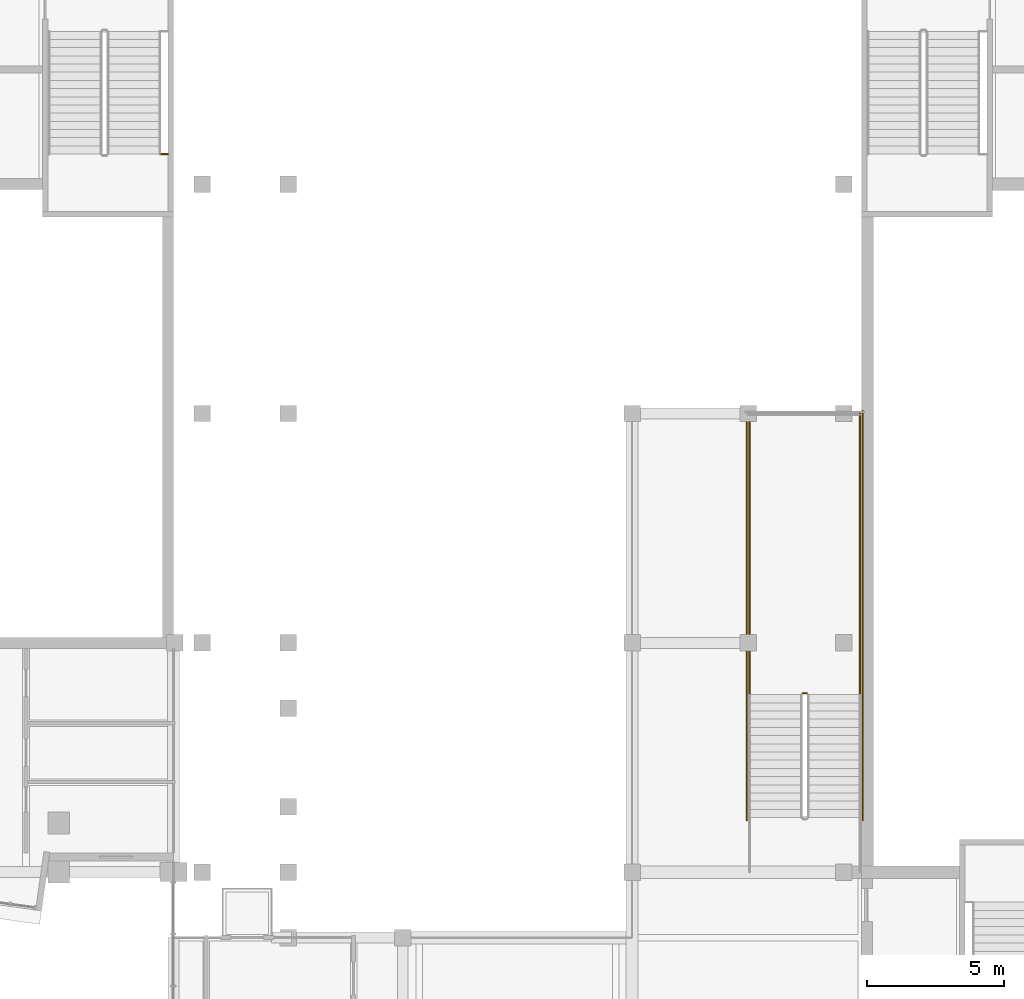
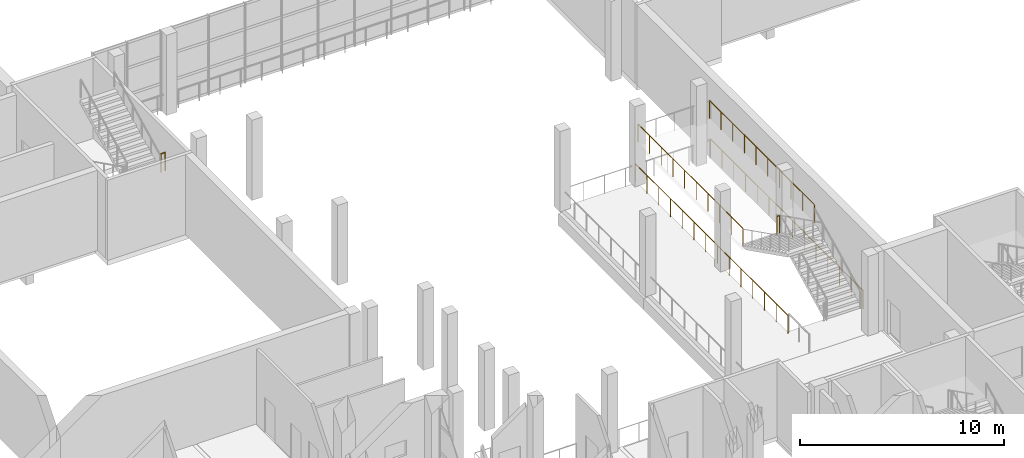
# One storey, part 75 of 91: 6 railings.
"""IFC4 building model written with IfcOpenShell, lengths in metres."""

from ifc_helpers import new_model, si_unit, direction, frame, origin, origin_2d, place, context, subcontext, project, spatial, circle, extrude, material, type_object, element, save


model = new_model("IFC4")

# Units and contexts
model_context = context("Model", 3, precision=1e-05, world=origin(), true_north=direction((0.0, 1.0)))
body_context = subcontext(model_context, "Body", "Model", "MODEL_VIEW")
ifc_project = project(units=[si_unit("LENGTHUNIT", "METRE"), si_unit("AREAUNIT", "SQUARE_METRE"), si_unit("VOLUMEUNIT", "CUBIC_METRE"), si_unit("PLANEANGLEUNIT", "RADIAN"), si_unit("MASSUNIT", "GRAM", prefix="KILO")], contexts=[model_context])

# Site, building, storey
site_placement = place(None, origin())
site = spatial("IfcSite", under=ifc_project, at=site_placement, CompositionType="ELEMENT")
building_placement = place(site_placement, origin())
building = spatial("IfcBuilding", under=site, at=building_placement, Name="Kiln Court Media Centre", CompositionType="ELEMENT")
storey_placement = place(building_placement, frame((0.0, 0.0, 5.39990234375)))
storey = spatial("IfcBuildingStorey", under=building, at=storey_placement, Name="L01", CompositionType="ELEMENT", Elevation=5.39990234375)

# Railings
ifc_material = material(Name="Steel S275", Category="steel")
railing_type = type_object("IfcRailingType", Name="Steel S275 stair guard 1100", PredefinedType="GUARDRAIL", material=ifc_material)
railing_1_placement = place(storey_placement, frame((33.14990234375, 59.89990234375, 2.400146484375)))
element("IfcRailing", 1, at=railing_1_placement, inside=storey, type_object=railing_type, Name="ST-08 landing edge guard", PredefinedType="GUARDRAIL", context=body_context, shape_type="SweptSolid", body=[
    extrude(circle(Radius=0.02392578125, at=origin_2d()), frame((0.0, 0.0, 1.076171875), z_axis=(1.0, 0.0, 0.0), x_axis=(0.0, 1.0, 0.0)), (0.0, 0.0, 1.0), 0.25),
    extrude(circle(Radius=0.02099609375, at=origin_2d()), origin(), (0.0, 0.0, 1.0), 1.052001953125),
    extrude(circle(Radius=0.02099609375, at=origin_2d()), frame((0.25, 0.0, 0.0)), (0.0, 0.0, 1.0), 1.052001953125),
])
railing_2_placement = place(storey_placement, frame((56.800048828125, 40.14990234375, 2.400146484375)))
element("IfcRailing", 2, at=railing_2_placement, inside=storey, type_object=railing_type, Name="ST-F1 stair guard", PredefinedType="GUARDRAIL", context=body_context, shape_type="SweptSolid", body=[
    extrude(circle(Radius=0.02392578125, at=origin_2d()), frame((0.0, 0.0, 1.076171875), z_axis=(-1.0, 0.0, 0.0), x_axis=(0.0, -1.0, 0.0)), (0.0, 0.0, 1.0), 0.150146484375),
    extrude(circle(Radius=0.02099609375, at=origin_2d()), origin(), (0.0, 0.0, 1.0), 1.052001953125),
    extrude(circle(Radius=0.02099609375, at=origin_2d()), frame((-0.150146484375, 0.0, 0.0)), (0.0, 0.0, 1.0), 1.052001953125),
])
for number, where, name in (
    (3, (58.75, 40.10009765625, 2.400146484375), "ST-F1 stair guard"),
    (4, (54.699951171875, 40.10009765625, 2.400146484375), "ST-F1 stair guard"),
):
    element("IfcRailing", number, at=place(storey_placement, frame(where)), inside=storey, type_object=railing_type, Name=name, PredefinedType="GUARDRAIL", context=body_context, shape_type="SweptSolid", body=[
        extrude(circle(Radius=0.02392578125, at=origin_2d()), frame((0.0, 0.0, 1.076171875), z_axis=(0.0, 1.0, 0.0), x_axis=(-1.0, 0.0, 0.0)), (0.0, 0.0, 1.0), 10.2998046875),
        extrude(circle(Radius=0.02099609375, at=origin_2d()), origin(), (0.0, 0.0, 1.0), 1.052001953125),
        extrude(circle(Radius=0.02099609375, at=origin_2d()), frame((0.0, 1.14453125, 0.0)), (0.0, 0.0, 1.0), 1.052001953125),
        extrude(circle(Radius=0.02099609375, at=origin_2d()), frame((0.0, 2.288818359375, 0.0)), (0.0, 0.0, 1.0), 1.052001953125),
        extrude(circle(Radius=0.02099609375, at=origin_2d()), frame((0.0, 3.433349609375, 0.0)), (0.0, 0.0, 1.0), 1.052001953125),
        extrude(circle(Radius=0.02099609375, at=origin_2d()), frame((0.0, 4.57763671875, 0.0)), (0.0, 0.0, 1.0), 1.052001953125),
        extrude(circle(Radius=0.02099609375, at=origin_2d()), frame((0.0, 5.72216796875, 0.0)), (0.0, 0.0, 1.0), 1.052001953125),
        extrude(circle(Radius=0.02099609375, at=origin_2d()), frame((0.0, 6.866455078125, 0.0)), (0.0, 0.0, 1.0), 1.052001953125),
        extrude(circle(Radius=0.02099609375, at=origin_2d()), frame((0.0, 8.010986328125, 0.0)), (0.0, 0.0, 1.0), 1.052001953125),
        extrude(circle(Radius=0.02099609375, at=origin_2d()), frame((0.0, 9.1552734375, 0.0)), (0.0, 0.0, 1.0), 1.052001953125),
        extrude(circle(Radius=0.02099609375, at=origin_2d()), frame((0.0, 10.2998046875, 0.0)), (0.0, 0.0, 1.0), 1.052001953125),
    ])
railing_3_placement = place(storey_placement, frame((58.85009765625, 35.5, 0.0)))
element("IfcRailing", 5, at=railing_3_placement, inside=storey, type_object=railing_type, Name="ST-F1 stair guard", PredefinedType="GUARDRAIL", context=body_context, shape_type="SweptSolid", body=[
    extrude(circle(Radius=0.02392578125, at=origin_2d()), frame((0.0, 0.0, 1.076171875), z_axis=(0.0, 1.0, 0.0), x_axis=(-1.0, 0.0, 0.0)), (0.0, 0.0, 1.0), 15.0),
    extrude(circle(Radius=0.02099609375, at=origin_2d()), origin(), (0.0, 0.0, 1.0), 1.052001953125),
    extrude(circle(Radius=0.02099609375, at=origin_2d()), frame((0.0, 1.15380859375, 0.0)), (0.0, 0.0, 1.0), 1.052001953125),
    extrude(circle(Radius=0.02099609375, at=origin_2d()), frame((0.0, 2.3076171875, 0.0)), (0.0, 0.0, 1.0), 1.052001953125),
    extrude(circle(Radius=0.02099609375, at=origin_2d()), frame((0.0, 3.46142578125, 0.0)), (0.0, 0.0, 1.0), 1.052001953125),
    extrude(circle(Radius=0.02099609375, at=origin_2d()), frame((0.0, 4.615478515625, 0.0)), (0.0, 0.0, 1.0), 1.052001953125),
    extrude(circle(Radius=0.02099609375, at=origin_2d()), frame((0.0, 5.769287109375, 0.0)), (0.0, 0.0, 1.0), 1.052001953125),
    extrude(circle(Radius=0.02099609375, at=origin_2d()), frame((0.0, 6.923095703125, 0.0)), (0.0, 0.0, 1.0), 1.052001953125),
    extrude(circle(Radius=0.02099609375, at=origin_2d()), frame((0.0, 8.076904296875, 0.0)), (0.0, 0.0, 1.0), 1.052001953125),
    extrude(circle(Radius=0.02099609375, at=origin_2d()), frame((0.0, 9.230712890625, 0.0)), (0.0, 0.0, 1.0), 1.052001953125),
    extrude(circle(Radius=0.02099609375, at=origin_2d()), frame((0.0, 10.384521484375, 0.0)), (0.0, 0.0, 1.0), 1.052001953125),
    extrude(circle(Radius=0.02099609375, at=origin_2d()), frame((0.0, 11.53857421875, 0.0)), (0.0, 0.0, 1.0), 1.052001953125),
    extrude(circle(Radius=0.02099609375, at=origin_2d()), frame((0.0, 12.6923828125, 0.0)), (0.0, 0.0, 1.0), 1.052001953125),
    extrude(circle(Radius=0.02099609375, at=origin_2d()), frame((0.0, 13.84619140625, 0.0)), (0.0, 0.0, 1.0), 1.052001953125),
    extrude(circle(Radius=0.02099609375, at=origin_2d()), frame((0.0, 15.0, 0.0)), (0.0, 0.0, 1.0), 1.052001953125),
])
railing_4_placement = place(storey_placement, frame((54.60009765625, 35.5, 0.0)))
element("IfcRailing", 6, at=railing_4_placement, inside=storey, type_object=railing_type, Name="ST-F1 stair guard", PredefinedType="GUARDRAIL", context=body_context, shape_type="SweptSolid", body=[
    extrude(circle(Radius=0.02392578125, at=origin_2d()), frame((0.0, 0.0, 1.076171875), z_axis=(0.0, 1.0, 0.0), x_axis=(-1.0, 0.0, 0.0)), (0.0, 0.0, 1.0), 15.0),
    extrude(circle(Radius=0.02099609375, at=origin_2d()), origin(), (0.0, 0.0, 1.0), 1.052001953125),
    extrude(circle(Radius=0.02099609375, at=origin_2d()), frame((0.0, 1.15380859375, 0.0)), (0.0, 0.0, 1.0), 1.052001953125),
    extrude(circle(Radius=0.02099609375, at=origin_2d()), frame((0.0, 2.3076171875, 0.0)), (0.0, 0.0, 1.0), 1.052001953125),
    extrude(circle(Radius=0.02099609375, at=origin_2d()), frame((0.0, 3.46142578125, 0.0)), (0.0, 0.0, 1.0), 1.052001953125),
    extrude(circle(Radius=0.02099609375, at=origin_2d()), frame((0.0, 4.615478515625, 0.0)), (0.0, 0.0, 1.0), 1.052001953125),
    extrude(circle(Radius=0.02099609375, at=origin_2d()), frame((0.0, 5.769287109375, 0.0)), (0.0, 0.0, 1.0), 1.052001953125),
    extrude(circle(Radius=0.02099609375, at=origin_2d()), frame((0.0, 6.923095703125, 0.0)), (0.0, 0.0, 1.0), 1.052001953125),
    extrude(circle(Radius=0.02099609375, at=origin_2d()), frame((0.0, 8.076904296875, 0.0)), (0.0, 0.0, 1.0), 1.052001953125),
    extrude(circle(Radius=0.02099609375, at=origin_2d()), frame((0.0, 9.230712890625, 0.0)), (0.0, 0.0, 1.0), 1.052001953125),
    extrude(circle(Radius=0.02099609375, at=origin_2d()), frame((0.0, 10.384521484375, 0.0)), (0.0, 0.0, 1.0), 1.052001953125),
    extrude(circle(Radius=0.02099609375, at=origin_2d()), frame((0.0, 11.53857421875, 0.0)), (0.0, 0.0, 1.0), 1.052001953125),
    extrude(circle(Radius=0.02099609375, at=origin_2d()), frame((0.0, 12.6923828125, 0.0)), (0.0, 0.0, 1.0), 1.052001953125),
    extrude(circle(Radius=0.02099609375, at=origin_2d()), frame((0.0, 13.84619140625, 0.0)), (0.0, 0.0, 1.0), 1.052001953125),
    extrude(circle(Radius=0.02099609375, at=origin_2d()), frame((0.0, 15.0, 0.0)), (0.0, 0.0, 1.0), 1.052001953125),
])

save(model, "model.ifc")
